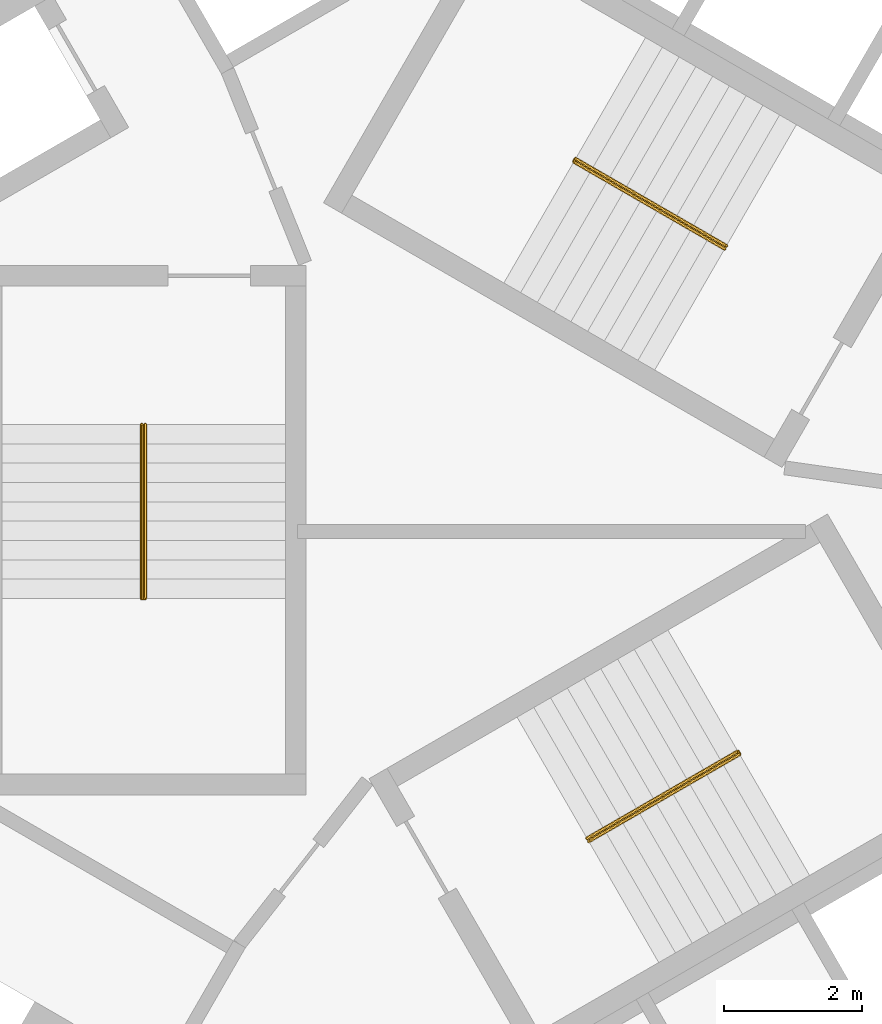
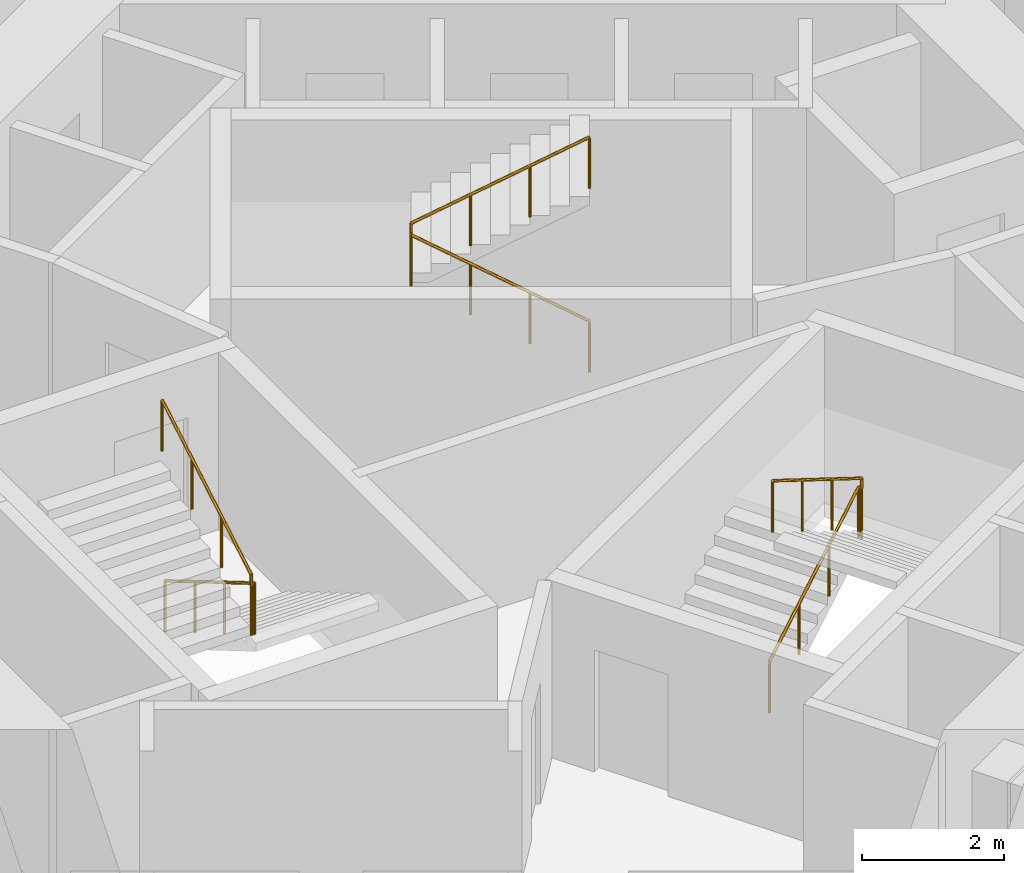
# One storey, part 12 of 12: 3 railings.
"""IFC4 building model written with IfcOpenShell, lengths in metres."""

from ifc_helpers import new_model, si_unit, direction, frame, origin, origin_2d, place, context, subcontext, project, spatial, circle, extrude, material, type_object, element, save


model = new_model("IFC4")

# Units and contexts
model_context = context("Model", 3, precision=1e-05, world=origin(), true_north=direction((0.0, 1.0)))
body_context = subcontext(model_context, "Body", "Model", "MODEL_VIEW")
ifc_project = project(units=[si_unit("LENGTHUNIT", "METRE"), si_unit("AREAUNIT", "SQUARE_METRE"), si_unit("VOLUMEUNIT", "CUBIC_METRE"), si_unit("PLANEANGLEUNIT", "RADIAN"), si_unit("MASSUNIT", "GRAM", prefix="KILO")], contexts=[model_context])

# Site, building, storey
site_placement = place(None, origin())
site = spatial("IfcSite", under=ifc_project, at=site_placement, CompositionType="ELEMENT")
building_placement = place(site_placement, origin())
building = spatial("IfcBuilding", under=site, at=building_placement, Name="Vanh Sen Convention Tower", CompositionType="ELEMENT")
storey_placement = place(building_placement, frame((0.0, 0.0, 93.5)))
storey = spatial("IfcBuildingStorey", under=building, at=storey_placement, Name="L21", CompositionType="ELEMENT", Elevation=93.5)

# Railings
ifc_material = material(Name="Stainless steel handrail", Category="steel")
railing_type = type_object("IfcRailingType", Name="Stair handrail 900", PredefinedType="HANDRAIL", material=ifc_material)
railing_1_placement = place(storey_placement, frame((3.45849609375, 3.690185546875, 0.1650390625)))
element("IfcRailing", 1, at=railing_1_placement, inside=storey, type_object=railing_type, Name="Stair handrail ST1 L21", PredefinedType="HANDRAIL", context=body_context, shape_type="SweptSolid", body=[
    extrude(circle(Radius=0.02392578125, at=origin_2d()), frame((0.0, 0.0, 0.8759765625), z_axis=(-0.746166161147, 0.430756550076, 0.507626688154), x_axis=(-0.499962843328, -0.866046855136, 0.0)), (0.0, 0.0, 1.0), 2.925048828125),
    extrude(circle(Radius=0.02392578125, at=origin_2d()), frame((-2.1826171875, 1.260009765625, 2.36083984375), z_axis=(0.502959906984, 0.86430974307, 0.0), x_axis=(-0.86430974307, 0.502959906984, 0.0)), (0.0, 0.0, 1.0), 0.050048828125),
    extrude(circle(Radius=0.02392578125, at=origin_2d()), frame((-2.157470703125, 1.30322265625, 2.36083984375), z_axis=(0.0, 0.0, 1.0), x_axis=(1.0, 0.0, 0.0)), (0.0, 0.0, 1.0), 0.1650390625),
    extrude(circle(Radius=0.02392578125, at=origin_2d()), frame((-2.157470703125, 1.30322265625, 2.52587890625), z_axis=(0.746097546679, -0.430765123438, 0.507720256902), x_axis=(0.500004791531, 0.866022637375, 0.0)), (0.0, 0.0, 1.0), 2.925048828125),
    extrude(circle(Radius=0.02099609375, at=origin_2d()), origin(), (0.0, 0.0, 1.0), 0.851806640625),
    extrude(circle(Radius=0.02099609375, at=origin_2d()), frame((-0.7275390625, 0.419921875, 0.494873046875)), (0.0, 0.0, 1.0), 0.851806640625),
    extrude(circle(Radius=0.02099609375, at=origin_2d()), frame((-1.455078125, 0.840087890625, 0.989990234375)), (0.0, 0.0, 1.0), 0.851806640625),
    extrude(circle(Radius=0.02099609375, at=origin_2d()), frame((-2.1826171875, 1.260009765625, 1.48486328125)), (0.0, 0.0, 1.0), 0.851806640625),
    extrude(circle(Radius=0.02099609375, at=origin_2d()), frame((-2.157470703125, 1.30322265625, 1.48486328125)), (0.0, 0.0, 1.0), 0.851806640625),
    extrude(circle(Radius=0.02099609375, at=origin_2d()), frame((-2.157470703125, 1.30322265625, 1.64990234375)), (0.0, 0.0, 1.0), 0.851806640625),
    extrude(circle(Radius=0.02099609375, at=origin_2d()), frame((-1.429931640625, 0.88330078125, 2.14501953125)), (0.0, 0.0, 1.0), 0.851806640625),
    extrude(circle(Radius=0.02099609375, at=origin_2d()), frame((-0.70263671875, 0.463134765625, 2.639892578125)), (0.0, 0.0, 1.0), 0.851806640625),
    extrude(circle(Radius=0.02099609375, at=origin_2d()), frame((0.02490234375, 0.043212890625, 3.135009765625)), (0.0, 0.0, 1.0), 0.851806640625),
])
railing_2_placement = place(storey_placement, frame((-4.925048828125, 1.14990234375, 0.1650390625)))
element("IfcRailing", 2, at=railing_2_placement, inside=storey, type_object=railing_type, Name="Stair handrail ST2 L21", PredefinedType="HANDRAIL", context=body_context, shape_type="SweptSolid", body=[
    extrude(circle(Radius=0.02392578125, at=origin_2d()), frame((0.0, 0.0, 0.8759765625), z_axis=(0.0, -0.861560626758, 0.507654692109), x_axis=(1.0, 0.0, 0.0)), (0.0, 0.0, 1.0), 2.925048828125),
    extrude(circle(Radius=0.02392578125, at=origin_2d()), frame((0.0, -2.52001953125, 2.36083984375), z_axis=(-1.0, 0.0, 0.0), x_axis=(0.0, -1.0, 0.0)), (0.0, 0.0, 1.0), 0.050048828125),
    extrude(circle(Radius=0.02392578125, at=origin_2d()), frame((-0.050048828125, -2.52001953125, 2.36083984375), z_axis=(0.0, 0.0, 1.0), x_axis=(1.0, 0.0, 0.0)), (0.0, 0.0, 1.0), 0.1650390625),
    extrude(circle(Radius=0.02392578125, at=origin_2d()), frame((-0.050048828125, -2.52001953125, 2.52587890625), z_axis=(0.0, 0.86152411907, 0.507716645641), x_axis=(-1.0, 0.0, 0.0)), (0.0, 0.0, 1.0), 2.925048828125),
    extrude(circle(Radius=0.02099609375, at=origin_2d()), origin(), (0.0, 0.0, 1.0), 0.851806640625),
    extrude(circle(Radius=0.02099609375, at=origin_2d()), frame((0.0, -0.840087890625, 0.494873046875)), (0.0, 0.0, 1.0), 0.851806640625),
    extrude(circle(Radius=0.02099609375, at=origin_2d()), frame((0.0, -1.679931640625, 0.989990234375)), (0.0, 0.0, 1.0), 0.851806640625),
    extrude(circle(Radius=0.02099609375, at=origin_2d()), frame((0.0, -2.52001953125, 1.48486328125)), (0.0, 0.0, 1.0), 0.851806640625),
    extrude(circle(Radius=0.02099609375, at=origin_2d()), frame((-0.050048828125, -2.52001953125, 1.48486328125)), (0.0, 0.0, 1.0), 0.851806640625),
    extrude(circle(Radius=0.02099609375, at=origin_2d()), frame((-0.050048828125, -2.52001953125, 1.64990234375)), (0.0, 0.0, 1.0), 0.851806640625),
    extrude(circle(Radius=0.02099609375, at=origin_2d()), frame((-0.050048828125, -1.679931640625, 2.14501953125)), (0.0, 0.0, 1.0), 0.851806640625),
    extrude(circle(Radius=0.02099609375, at=origin_2d()), frame((-0.050048828125, -0.840087890625, 2.639892578125)), (0.0, 0.0, 1.0), 0.851806640625),
    extrude(circle(Radius=0.02099609375, at=origin_2d()), frame((-0.050048828125, 0.0, 3.135009765625)), (0.0, 0.0, 1.0), 0.851806640625),
])
railing_3_placement = place(storey_placement, frame((1.466552734375, -4.840087890625, 0.1650390625)))
element("IfcRailing", 3, at=railing_3_placement, inside=storey, type_object=railing_type, Name="Stair handrail ST3 L21", PredefinedType="HANDRAIL", context=body_context, shape_type="SweptSolid", body=[
    extrude(circle(Radius=0.02392578125, at=origin_2d()), frame((0.0, 0.0, 0.8759765625), z_axis=(0.746129163535, 0.430783377672, 0.507658303235), x_axis=(-0.500004791531, 0.866022637375, 0.0)), (0.0, 0.0, 1.0), 2.9248046875),
    extrude(circle(Radius=0.02392578125, at=origin_2d()), frame((2.182373046875, 1.260009765625, 2.36083984375), z_axis=(0.500844580232, -0.86553723574, 0.0), x_axis=(0.86553723574, 0.500844580232, 0.0)), (0.0, 0.0, 1.0), 0.05029296875),
    extrude(circle(Radius=0.02392578125, at=origin_2d()), frame((2.20751953125, 1.216552734375, 2.36083984375), z_axis=(0.0, 0.0, 1.0), x_axis=(1.0, 0.0, 0.0)), (0.0, 0.0, 1.0), 0.1650390625),
    extrude(circle(Radius=0.02392578125, at=origin_2d()), frame((2.20751953125, 1.216552734375, 2.52587890625), z_axis=(-0.746097546679, -0.430765123438, 0.507720256902), x_axis=(0.500004791531, -0.866022637375, 0.0)), (0.0, 0.0, 1.0), 2.925048828125),
    extrude(circle(Radius=0.02099609375, at=origin_2d()), origin(), (0.0, 0.0, 1.0), 0.851806640625),
    extrude(circle(Radius=0.02099609375, at=origin_2d()), frame((0.7275390625, 0.419921875, 0.494873046875)), (0.0, 0.0, 1.0), 0.851806640625),
    extrude(circle(Radius=0.02099609375, at=origin_2d()), frame((1.454833984375, 0.840087890625, 0.989990234375)), (0.0, 0.0, 1.0), 0.851806640625),
    extrude(circle(Radius=0.02099609375, at=origin_2d()), frame((2.182373046875, 1.260009765625, 1.48486328125)), (0.0, 0.0, 1.0), 0.851806640625),
    extrude(circle(Radius=0.02099609375, at=origin_2d()), frame((2.20751953125, 1.216552734375, 1.48486328125)), (0.0, 0.0, 1.0), 0.851806640625),
    extrude(circle(Radius=0.02099609375, at=origin_2d()), frame((2.20751953125, 1.216552734375, 1.64990234375)), (0.0, 0.0, 1.0), 0.851806640625),
    extrude(circle(Radius=0.02099609375, at=origin_2d()), frame((1.47998046875, 0.796630859375, 2.14501953125)), (0.0, 0.0, 1.0), 0.851806640625),
    extrude(circle(Radius=0.02099609375, at=origin_2d()), frame((0.752685546875, 0.37646484375, 2.639892578125)), (0.0, 0.0, 1.0), 0.851806640625),
    extrude(circle(Radius=0.02099609375, at=origin_2d()), frame((0.025146484375, -0.04345703125, 3.135009765625)), (0.0, 0.0, 1.0), 0.851806640625),
])

save(model, "model.ifc")
